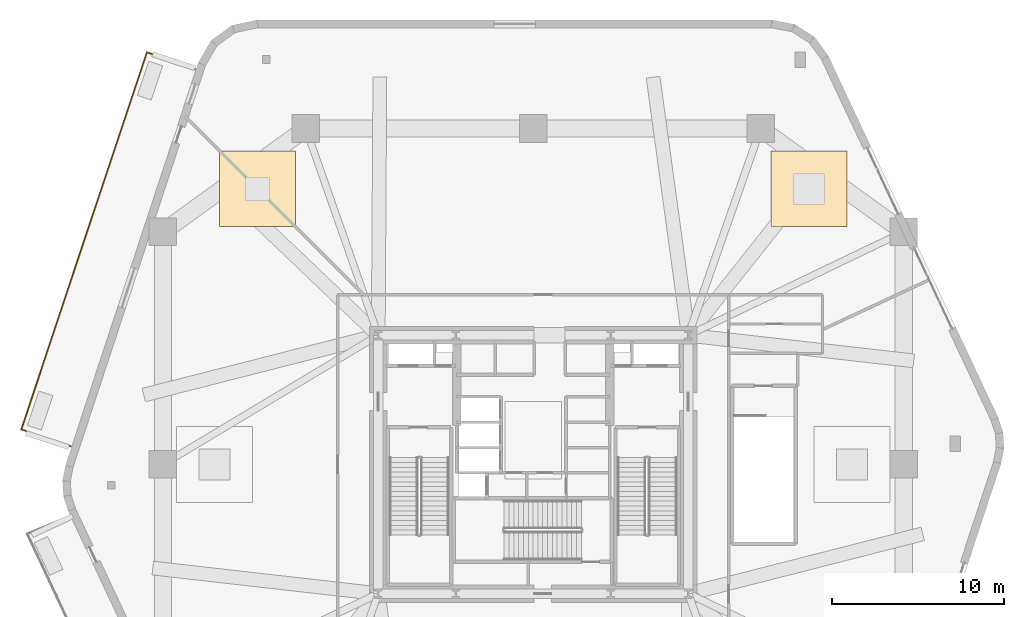
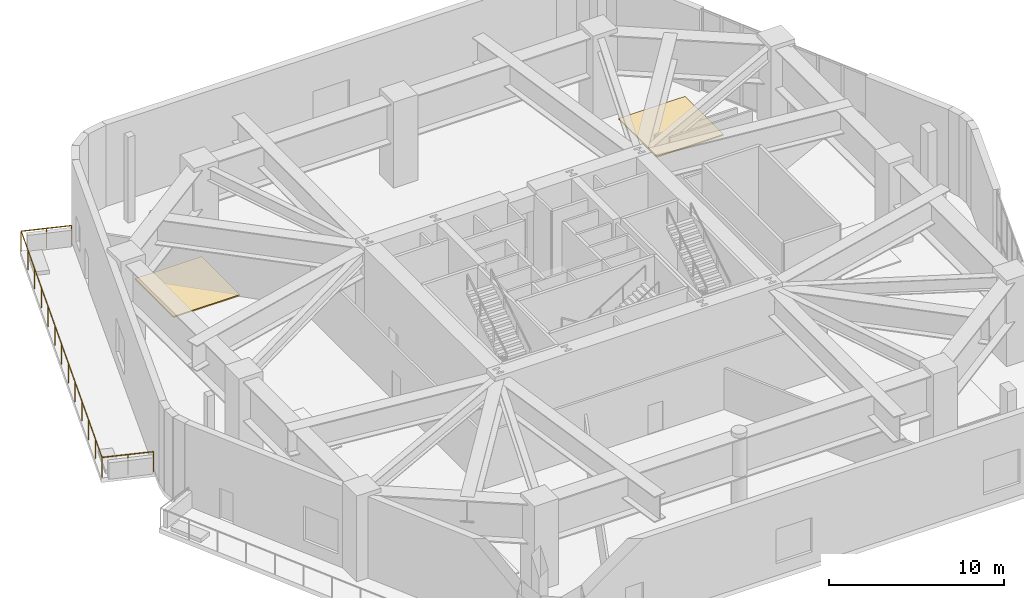
# One storey, part 14 of 14: 2 coverings, 1 railing.
"""IFC4 building model written with IfcOpenShell, lengths in metres."""

from ifc_helpers import new_model, si_unit, direction, frame, origin, origin_2d, place, context, subcontext, project, spatial, polyline, rectangle, outline, extrude, material, layer, layer_set, type_object, element, save


model = new_model("IFC4")

# Units and contexts
model_context = context("Model", 3, precision=1e-05, world=origin(), true_north=direction((0.0, 1.0)))
body_context = subcontext(model_context, "Body", "Model", "MODEL_VIEW")
ifc_project = project(units=[si_unit("LENGTHUNIT", "METRE"), si_unit("AREAUNIT", "SQUARE_METRE"), si_unit("VOLUMEUNIT", "CUBIC_METRE"), si_unit("PLANEANGLEUNIT", "RADIAN"), si_unit("MASSUNIT", "GRAM", prefix="KILO")], contexts=[model_context])

# Site, building, storey
site_placement = place(None, origin())
site = spatial("IfcSite", under=ifc_project, at=site_placement, CompositionType="ELEMENT")
building_placement = place(site_placement, origin())
building = spatial("IfcBuilding", under=site, at=building_placement, Name="Kilnhurst Terrace Hotel", CompositionType="ELEMENT")
storey_placement = place(building_placement, frame((0.0, 0.0, 28.199951171875)))
storey = spatial("IfcBuildingStorey", under=building, at=storey_placement, Name="L05", CompositionType="ELEMENT", Elevation=28.199951171875)

# Coverings
ifc_material_1 = material(Name="TPO Single-Ply Waterproofing Membrane and Rigid Insulation")
ifc_layer_1 = layer(ifc_material_1, 0.080078125, Name="TPO Single-Ply Waterproofing Membrane and Rigid Insulation")
ifc_layer_set_1 = layer_set([ifc_layer_1], Name="TPO Single-Ply Waterproofing Membrane and Rigid Insulation")
covering_type = type_object("IfcCoveringType", Name="COV-ROOF-MEM", PredefinedType="ROOFING", material=ifc_layer_set_1)
covering_1_placement = place(storey_placement, origin())
element("IfcCovering", 1, at=covering_1_placement, inside=storey, type_object=covering_type, Name="L05 Podium Waterproofing Pad 3", PredefinedType="ROOFING", context=body_context, shape_type="SweptSolid", body=[
    extrude(outline(polyline([(-18.199951171875, 13.800048828125), (-13.800048828125, 13.800048828125), (-13.800048828125, 18.199951171875), (-18.199951171875, 18.199951171875), (-18.199951171875, 13.800048828125)])), origin(), (0.0, 0.0, 1.0), 0.080078125),
])
covering_2_placement = place(storey_placement, origin())
element("IfcCovering", 2, at=covering_2_placement, inside=storey, type_object=covering_type, Name="L05 Podium Waterproofing Pad 4", PredefinedType="ROOFING", context=body_context, shape_type="SweptSolid", body=[
    extrude(outline(polyline([(13.800048828125, 13.800048828125), (18.199951171875, 13.800048828125), (18.199951171875, 18.199951171875), (13.800048828125, 18.199951171875), (13.800048828125, 13.800048828125)])), origin(), (0.0, 0.0, 1.0), 0.080078125),
])

# Railing
ifc_material_2 = material(Name="Laminated SentryGlas and Stainless Steel AISI 316L Balustrade", Category="steel")
ifc_layer_2 = layer(ifc_material_2, 0.070068359375, Name="Laminated SentryGlas and Stainless Steel AISI 316L Balustrade")
ifc_layer_set_2 = layer_set([ifc_layer_2], Name="Laminated SentryGlas and Stainless Steel AISI 316L Balustrade")
railing_type = type_object("IfcRailingType", Name="RLG-BAL-1420", PredefinedType="BALUSTRADE", material=ifc_layer_set_2)
railing_placement = place(storey_placement, frame((-26.868408203125, 1.056396484375, 0.0)))
element("IfcRailing", 3, at=railing_placement, inside=storey, type_object=railing_type, Name="L05 Exterior Terrace Guardrail TERR-1.1", PredefinedType="BALUSTRADE", context=body_context, shape_type="SweptSolid", body=[
    extrude(rectangle(XDim=0.048095703125, YDim=0.048095703125, at=origin_2d()), frame((0.0, 0.0, 1.39599609375), z_axis=(-0.945560469791, 0.32544645945, 0.0), x_axis=(-0.32544645945, -0.945560469791, 0.0)), (0.0, 0.0, 1.0), 3.01416015625),
    extrude(rectangle(XDim=0.048095703125, YDim=0.048095703125, at=origin_2d()), frame((-2.85009765625, 0.98095703125, 1.39599609375), z_axis=(0.316142043488, 0.948711867924, 0.0), x_axis=(-0.948711867924, 0.316142043488, 0.0)), (0.0, 0.0, 1.0), 23.0693359375),
    extrude(rectangle(XDim=0.048095703125, YDim=0.048095703125, at=origin_2d()), frame((4.443115234375, 22.8671875, 1.39599609375), z_axis=(0.945554777878, -0.325462996411, 0.0), x_axis=(0.325462996411, 0.945554777878, 0.0)), (0.0, 0.0, 1.0), 2.9375),
    extrude(rectangle(XDim=0.0419921875, YDim=0.0419921875, at=origin_2d()), origin(), (0.0, 0.0, 1.0), 1.371826171875),
    extrude(rectangle(XDim=0.0419921875, YDim=0.0419921875, at=origin_2d()), frame((-1.425048828125, 0.490478515625, 0.0)), (0.0, 0.0, 1.0), 1.371826171875),
    extrude(rectangle(XDim=0.0419921875, YDim=0.0419921875, at=origin_2d()), frame((-2.85009765625, 0.98095703125, 0.0)), (0.0, 0.0, 1.0), 1.371826171875),
    extrude(rectangle(XDim=0.0419921875, YDim=0.0419921875, at=origin_2d()), frame((-2.242431640625, 2.8046875, 0.0)), (0.0, 0.0, 1.0), 1.371826171875),
    extrude(rectangle(XDim=0.0419921875, YDim=0.0419921875, at=origin_2d()), frame((-1.634521484375, 4.628662109375, 0.0)), (0.0, 0.0, 1.0), 1.371826171875),
    extrude(rectangle(XDim=0.0419921875, YDim=0.0419921875, at=origin_2d()), frame((-1.02685546875, 6.45263671875, 0.0)), (0.0, 0.0, 1.0), 1.371826171875),
    extrude(rectangle(XDim=0.0419921875, YDim=0.0419921875, at=origin_2d()), frame((-0.4189453125, 8.2763671875, 0.0)), (0.0, 0.0, 1.0), 1.371826171875),
    extrude(rectangle(XDim=0.0419921875, YDim=0.0419921875, at=origin_2d()), frame((0.188720703125, 10.10009765625, 0.0)), (0.0, 0.0, 1.0), 1.371826171875),
    extrude(rectangle(XDim=0.0419921875, YDim=0.0419921875, at=origin_2d()), frame((0.79638671875, 11.924072265625, 0.0)), (0.0, 0.0, 1.0), 1.371826171875),
    extrude(rectangle(XDim=0.0419921875, YDim=0.0419921875, at=origin_2d()), frame((1.404296875, 13.748046875, 0.0)), (0.0, 0.0, 1.0), 1.371826171875),
    extrude(rectangle(XDim=0.0419921875, YDim=0.0419921875, at=origin_2d()), frame((2.011962890625, 15.57177734375, 0.0)), (0.0, 0.0, 1.0), 1.371826171875),
    extrude(rectangle(XDim=0.0419921875, YDim=0.0419921875, at=origin_2d()), frame((2.619873046875, 17.3955078125, 0.0)), (0.0, 0.0, 1.0), 1.371826171875),
    extrude(rectangle(XDim=0.0419921875, YDim=0.0419921875, at=origin_2d()), frame((3.2275390625, 19.219482421875, 0.0)), (0.0, 0.0, 1.0), 1.371826171875),
    extrude(rectangle(XDim=0.0419921875, YDim=0.0419921875, at=origin_2d()), frame((3.83544921875, 21.04345703125, 0.0)), (0.0, 0.0, 1.0), 1.371826171875),
    extrude(rectangle(XDim=0.0419921875, YDim=0.0419921875, at=origin_2d()), frame((4.443115234375, 22.8671875, 0.0)), (0.0, 0.0, 1.0), 1.371826171875),
    extrude(rectangle(XDim=0.0419921875, YDim=0.0419921875, at=origin_2d()), frame((5.83203125, 22.38916015625, 0.0)), (0.0, 0.0, 1.0), 1.371826171875),
    extrude(rectangle(XDim=0.0419921875, YDim=0.0419921875, at=origin_2d()), frame((7.220703125, 21.9111328125, 0.0)), (0.0, 0.0, 1.0), 1.371826171875),
])

save(model, "model.ifc")
